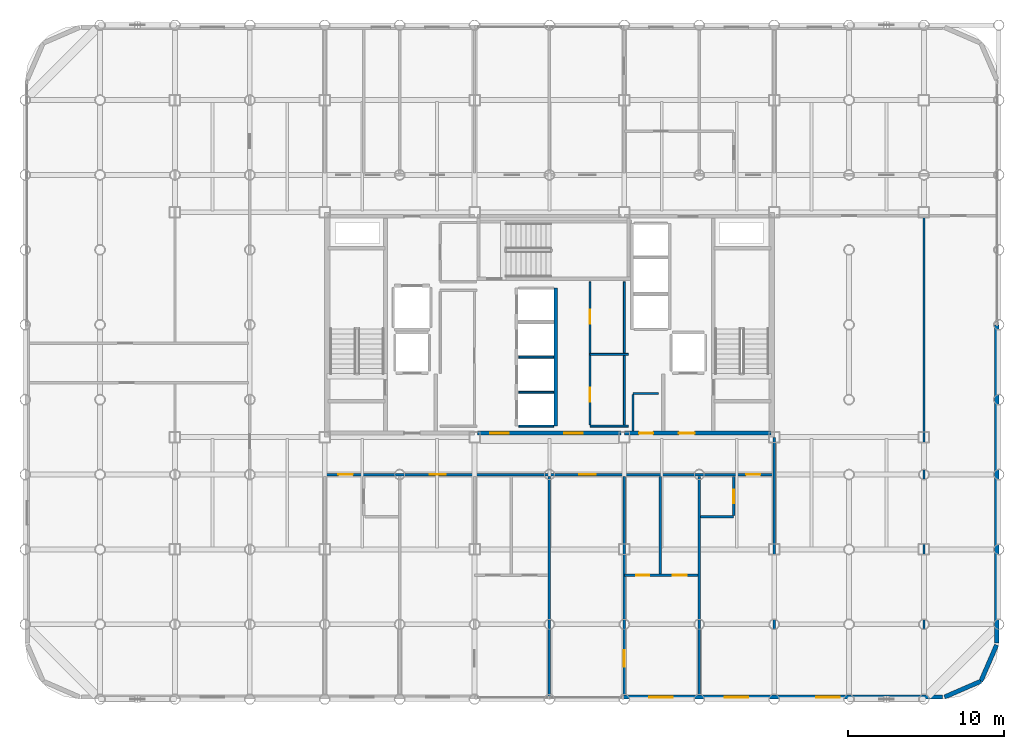
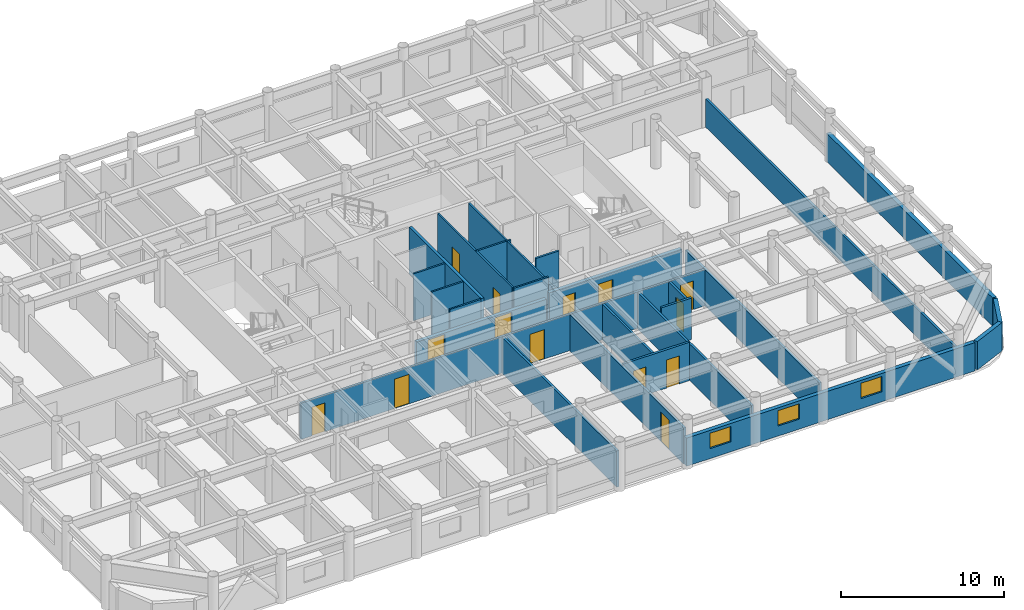
# One storey, part 17 of 20: 26 walls, 14 doors, 3 windows, 17 openings.
"""IFC4 building model written with IfcOpenShell, lengths in metres."""

from ifc_helpers import new_model, si_unit, direction, frame, frame_2d, origin, place, context, subcontext, project, spatial, rectangle, extrude, material, layer, layer_set, type_object, element, fill, save


model = new_model("IFC4")

# Units and contexts
model_context = context("Model", 3, precision=1e-05, world=origin(), true_north=direction((0.0, 1.0)))
body_context = subcontext(model_context, "Body", "Model", "MODEL_VIEW")
ifc_project = project(units=[si_unit("LENGTHUNIT", "METRE"), si_unit("AREAUNIT", "SQUARE_METRE"), si_unit("VOLUMEUNIT", "CUBIC_METRE"), si_unit("PLANEANGLEUNIT", "RADIAN"), si_unit("MASSUNIT", "GRAM", prefix="KILO")], contexts=[model_context])

# Site, building, storey
site_placement = place(None, origin())
site = spatial("IfcSite", under=ifc_project, at=site_placement, CompositionType="ELEMENT")
building_placement = place(site_placement, origin())
building = spatial("IfcBuilding", under=site, at=building_placement, Name="Kallvorn Hotel Tower", CompositionType="ELEMENT")
storey_placement = place(building_placement, frame((0.0, 0.0, 158.10009765625)))
storey = spatial("IfcBuildingStorey", under=building, at=storey_placement, Name="L39", CompositionType="ELEMENT", Elevation=158.10009765625)

# Wall, openings, doors
ifc_material_1 = material(Name="Fire-rated double-layer acoustic gypsum drywall EI 60")
ifc_layer_1 = layer(ifc_material_1, 0.159912109375)
ifc_layer_set_1 = layer_set([ifc_layer_1], Name="WL_DEMISE_160")
wall_type_1 = type_object("IfcWallType", Name="WL_DEMISE_160", PredefinedType="PARTITIONING", material=ifc_layer_set_1)
wall_1_placement = place(storey_placement, frame((4.800048828125, -16.050048828125, 0.0), z_axis=(0.0, 0.0, 1.0), x_axis=(1.0, 0.0, 0.0)))
wall_1 = element("IfcWall", 1, at=wall_1_placement, inside=storey, type_object=wall_type_1, Name="L39 Suite 3903 Executive Bedroom Partition", PredefinedType="PARTITIONING", context=body_context, shape_type="SweptSolid", body=[
    extrude(rectangle(XDim=4.719970703125, YDim=0.159912109375, at=frame_2d((2.35986328125, 0.0))), origin(), (0.0, 0.0, 1.0), 2.869873046875),
])
opening_1_placement = place(wall_1_placement, frame((0.75, 0.0, 0.0)))
opening_1 = element("IfcOpeningElement", 2, at=opening_1_placement, cuts=wall_1, Name="Opening BD-I", PredefinedType="OPENING", context=body_context, shape_type="SweptSolid", body=[
    extrude(rectangle(XDim=0.860107421875, YDim=2.10009765625, at=frame_2d((0.43017578125, 1.050048828125))), frame((0.0, 0.094970703125, 0.0), z_axis=(0.0, -1.0, 0.0), x_axis=(1.0, 0.0, 0.0)), (0.0, 0.0, 1.0), 0.18994140625),
])
opening_2_placement = place(wall_1_placement, frame((3.090087890625, 0.0, 0.0)))
opening_2 = element("IfcOpeningElement", 3, at=opening_2_placement, cuts=wall_1, Name="Opening SVD1", PredefinedType="OPENING", context=body_context, shape_type="SweptSolid", body=[
    extrude(rectangle(XDim=0.89990234375, YDim=2.10009765625, at=frame_2d((0.449951171875, 1.050048828125))), frame((0.0, 0.094970703125, 0.0), z_axis=(0.0, -1.0, 0.0), x_axis=(1.0, 0.0, 0.0)), (0.0, 0.0, 1.0), 0.18994140625),
])
ifc_material_2 = material(Name="Solid-core walnut veneer fire-rated timber door leaf", Category="wood")
door_type_1 = type_object("IfcDoorType", Name="DR_BATH_860x2100", OperationType="NOTDEFINED", PredefinedType="DOOR", material=ifc_material_2)
door_1_placement = place(opening_1_placement, origin())
door_1 = element("IfcDoor", 4, at=door_1_placement, inside=storey, type_object=door_type_1, Name="L39 Suite 3903 En-Suite Bathroom Door", OperationType="SINGLE_SWING_LEFT", OverallHeight=2.10009765625, OverallWidth=0.860107421875, PredefinedType="DOOR", context=body_context, shape_type="SweptSolid", body=[
    extrude(rectangle(XDim=0.860107421875, YDim=2.10009765625, at=frame_2d((0.43017578125, 1.050048828125))), frame((0.0, 0.02490234375, 0.0), z_axis=(0.0, -1.0, 0.0), x_axis=(1.0, 0.0, 0.0)), (0.0, 0.0, 1.0), 0.050048828125),
])
fill(opening_1, door_1)
ifc_material_3 = material(Name="Galvanised painted steel fire-rated door assembly", Category="steel")
door_type_2 = type_object("IfcDoorType", Name="DR_SERV_900x2100", OperationType="NOTDEFINED", PredefinedType="DOOR", material=ifc_material_3)
door_2_placement = place(opening_2_placement, origin())
door_2 = element("IfcDoor", 5, at=door_2_placement, inside=storey, type_object=door_type_2, Name="L39 Suite 3903 Walk-In Dressing Closet Door", OperationType="SINGLE_SWING_RIGHT", OverallHeight=2.10009765625, OverallWidth=0.89990234375, PredefinedType="DOOR", context=body_context, shape_type="SweptSolid", body=[
    extrude(rectangle(XDim=0.89990234375, YDim=2.10009765625, at=frame_2d((0.449951171875, 1.050048828125))), frame((0.0, 0.02490234375, 0.0), z_axis=(0.0, -1.0, 0.0), x_axis=(1.0, 0.0, 0.0)), (0.0, 0.0, 1.0), 0.050048828125),
])
fill(opening_2, door_2)

# Wall
wall_2_placement = place(storey_placement, frame((9.679931640625, -12.320068359375, 0.0), z_axis=(0.0, 0.0, 1.0), x_axis=(1.0, 0.0, 0.0)))
element("IfcWall", 6, at=wall_2_placement, inside=storey, type_object=wall_type_1, Name="L39 Suite 3904 Superior Twin Room Partition", PredefinedType="PARTITIONING", context=body_context, shape_type="SweptSolid", body=[
    extrude(rectangle(XDim=2.130126953125, YDim=0.159912109375, at=frame_2d((1.06494140625, 0.0))), origin(), (0.0, 0.0, 1.0), 3.119873046875),
])

# Wall, openings, doors
wall_3_placement = place(storey_placement, frame((-14.320068359375, -9.60009765625, 0.0), z_axis=(0.0, 0.0, 1.0), x_axis=(1.0, 0.0, 0.0)))
wall_3 = element("IfcWall", 7, at=wall_3_placement, inside=storey, type_object=wall_type_1, Name="L39 Suite 3901 Superior Twin Room Partition", PredefinedType="PARTITIONING", context=body_context, shape_type="SweptSolid", body=[
    extrude(rectangle(XDim=28.64013671875, YDim=0.159912109375, at=frame_2d((14.320068359375, 0.0))), origin(), (0.0, 0.0, 1.0), 2.719970703125),
])
opening_3_placement = place(wall_3_placement, frame((0.794921875, 0.0, 0.0)))
opening_3 = element("IfcOpeningElement", 8, at=opening_3_placement, cuts=wall_3, Name="Opening GD1", PredefinedType="OPENING", context=body_context, shape_type="SweptSolid", body=[
    extrude(rectangle(XDim=0.919921875, YDim=2.14990234375, at=frame_2d((0.4599609375, 1.074951171875))), frame((0.0, 0.094970703125, 0.0), z_axis=(0.0, -1.0, 0.0), x_axis=(1.0, 0.0, 0.0)), (0.0, 0.0, 1.0), 0.18994140625),
])
opening_4_placement = place(wall_3_placement, frame((6.635009765625, 0.0, 0.0)))
opening_4 = element("IfcOpeningElement", 9, at=opening_4_placement, cuts=wall_3, Name="Opening GD2", PredefinedType="OPENING", context=body_context, shape_type="SweptSolid", body=[
    extrude(rectangle(XDim=1.050048828125, YDim=2.199951171875, at=frame_2d((0.52490234375, 1.10009765625))), frame((0.0, 0.094970703125, 0.0), z_axis=(0.0, -1.0, 0.0), x_axis=(1.0, 0.0, 0.0)), (0.0, 0.0, 1.0), 0.18994140625),
])
opening_5_placement = place(wall_3_placement, frame((16.235107421875, 0.0, 0.0)))
opening_5 = element("IfcOpeningElement", 10, at=opening_5_placement, cuts=wall_3, Name="Opening GD2", PredefinedType="OPENING", context=body_context, shape_type="SweptSolid", body=[
    extrude(rectangle(XDim=1.050048828125, YDim=2.199951171875, at=frame_2d((0.52490234375, 1.10009765625))), frame((0.0, 0.094970703125, 0.0), z_axis=(0.0, -1.0, 0.0), x_axis=(1.0, 0.0, 0.0)), (0.0, 0.0, 1.0), 0.18994140625),
])
opening_6_placement = place(wall_3_placement, frame((26.925048828125, 0.0, 0.0)))
opening_6 = element("IfcOpeningElement", 11, at=opening_6_placement, cuts=wall_3, Name="Opening GD1", PredefinedType="OPENING", context=body_context, shape_type="SweptSolid", body=[
    extrude(rectangle(XDim=0.919921875, YDim=2.14990234375, at=frame_2d((0.4599609375, 1.074951171875))), frame((0.0, 0.094970703125, 0.0), z_axis=(0.0, -1.0, 0.0), x_axis=(1.0, 0.0, 0.0)), (0.0, 0.0, 1.0), 0.18994140625),
])
ifc_material_4 = material(Name="Solid-core walnut veneer fire-rated timber door leaf", Category="wood")
door_type_3 = type_object("IfcDoorType", Name="DR_GUEST_920x2150", OperationType="NOTDEFINED", PredefinedType="DOOR", material=ifc_material_4)
door_3_placement = place(opening_3_placement, origin())
door_3 = element("IfcDoor", 12, at=door_3_placement, inside=storey, type_object=door_type_3, Name="L39 Suite 3901 Superior Twin Room Door", OperationType="SINGLE_SWING_LEFT", OverallHeight=2.14990234375, OverallWidth=0.919921875, PredefinedType="DOOR", context=body_context, shape_type="SweptSolid", body=[
    extrude(rectangle(XDim=0.919921875, YDim=2.14990234375, at=frame_2d((0.4599609375, 1.074951171875))), frame((0.0, 0.02490234375, 0.0), z_axis=(0.0, -1.0, 0.0), x_axis=(1.0, 0.0, 0.0)), (0.0, 0.0, 1.0), 0.050048828125),
])
fill(opening_3, door_3)
door_4_placement = place(opening_6_placement, origin())
door_4 = element("IfcDoor", 13, at=door_4_placement, inside=storey, type_object=door_type_3, Name="L39 Suite 3904 Superior Twin Room Door", OperationType="SINGLE_SWING_RIGHT", OverallHeight=2.14990234375, OverallWidth=0.919921875, PredefinedType="DOOR", context=body_context, shape_type="SweptSolid", body=[
    extrude(rectangle(XDim=0.919921875, YDim=2.14990234375, at=frame_2d((0.4599609375, 1.074951171875))), frame((0.0, 0.02490234375, 0.0), z_axis=(0.0, -1.0, 0.0), x_axis=(1.0, 0.0, 0.0)), (0.0, 0.0, 1.0), 0.050048828125),
])
fill(opening_6, door_4)
ifc_material_5 = material(Name="Solid-core walnut veneer fire-rated timber door leaf", Category="wood")
door_type_4 = type_object("IfcDoorType", Name="DR_SUITE_1050x2200", OperationType="NOTDEFINED", PredefinedType="DOOR", material=ifc_material_5)
door_5_placement = place(opening_4_placement, origin())
door_5 = element("IfcDoor", 14, at=door_5_placement, inside=storey, type_object=door_type_4, Name="L39 Suite 3902 Executive Living Salon Door", OperationType="SINGLE_SWING_RIGHT", OverallHeight=2.199951171875, OverallWidth=1.050048828125, PredefinedType="DOOR", context=body_context, shape_type="SweptSolid", body=[
    extrude(rectangle(XDim=1.050048828125, YDim=2.199951171875, at=frame_2d((0.52490234375, 1.10009765625))), frame((0.0, 0.02490234375, 0.0), z_axis=(0.0, -1.0, 0.0), x_axis=(1.0, 0.0, 0.0)), (0.0, 0.0, 1.0), 0.050048828125),
])
fill(opening_4, door_5)
door_6_placement = place(opening_5_placement, origin())
door_6 = element("IfcDoor", 15, at=door_6_placement, inside=storey, type_object=door_type_4, Name="L39 Suite 3903 Executive Living Salon Door", OperationType="SINGLE_SWING_RIGHT", OverallHeight=2.199951171875, OverallWidth=1.050048828125, PredefinedType="DOOR", context=body_context, shape_type="SweptSolid", body=[
    extrude(rectangle(XDim=1.050048828125, YDim=2.199951171875, at=frame_2d((0.52490234375, 1.10009765625))), frame((0.0, 0.02490234375, 0.0), z_axis=(0.0, -1.0, 0.0), x_axis=(1.0, 0.0, 0.0)), (0.0, 0.0, 1.0), 0.050048828125),
])
fill(opening_5, door_6)

# Wall
wall_4_placement = place(storey_placement, frame((0.0, -23.794921875, 0.0), z_axis=(0.0, 0.0, 1.0), x_axis=(0.0, 1.0, 0.0)))
element("IfcWall", 16, at=wall_4_placement, inside=storey, type_object=wall_type_1, Name="L39 Suite 3902 Executive Bedroom Partition", PredefinedType="PARTITIONING", context=body_context, shape_type="SweptSolid", body=[
    extrude(rectangle(XDim=14.074951171875, YDim=0.159912109375, at=frame_2d((7.03759765625, 0.0))), origin(), (0.0, 0.0, 1.0), 2.719970703125),
])

# Wall, opening, door
wall_5_placement = place(storey_placement, frame((4.800048828125, -23.7099609375, 0.0), z_axis=(0.0, 0.0, 1.0), x_axis=(0.0, 1.0, 0.0)))
wall_5 = element("IfcWall", 17, at=wall_5_placement, inside=storey, type_object=wall_type_1, Name="L39 Suite 3903 Executive Bedroom Partition", PredefinedType="PARTITIONING", context=body_context, shape_type="SweptSolid", body=[
    extrude(rectangle(XDim=13.989990234375, YDim=0.159912109375, at=frame_2d((6.9951171875, 0.0))), origin(), (0.0, 0.0, 1.0), 2.719970703125),
])
opening_7_placement = place(wall_5_placement, frame((1.802978515625, 0.0, 0.0)))
opening_7 = element("IfcOpeningElement", 18, at=opening_7_placement, cuts=wall_5, Name="Opening GD2", PredefinedType="OPENING", context=body_context, shape_type="SweptSolid", body=[
    extrude(rectangle(XDim=1.050048828125, YDim=2.199951171875, at=frame_2d((0.52490234375, 1.10009765625))), frame((0.0, 0.094970703125, 0.0), z_axis=(0.0, -1.0, 0.0), x_axis=(1.0, 0.0, 0.0)), (0.0, 0.0, 1.0), 0.18994140625),
])
door_7_placement = place(opening_7_placement, origin())
door_7 = element("IfcDoor", 19, at=door_7_placement, inside=storey, type_object=door_type_4, Name="L39 Suite 3903 Executive Bedroom Door", OperationType="SINGLE_SWING_RIGHT", OverallHeight=2.199951171875, OverallWidth=1.050048828125, PredefinedType="DOOR", context=body_context, shape_type="SweptSolid", body=[
    extrude(rectangle(XDim=1.050048828125, YDim=2.199951171875, at=frame_2d((0.52490234375, 1.10009765625))), frame((0.0, 0.02490234375, 0.0), z_axis=(0.0, -1.0, 0.0), x_axis=(1.0, 0.0, 0.0)), (0.0, 0.0, 1.0), 0.050048828125),
])
fill(opening_7, door_7)

# Wall
wall_6_placement = place(storey_placement, frame((9.60009765625, -23.7099609375, 0.0), z_axis=(0.0, 0.0, 1.0), x_axis=(0.0, 1.0, 0.0)))
element("IfcWall", 20, at=wall_6_placement, inside=storey, type_object=wall_type_1, Name="L39 Suite 3903 Executive Bedroom Partition", PredefinedType="PARTITIONING", context=body_context, shape_type="SweptSolid", body=[
    extrude(rectangle(XDim=13.989990234375, YDim=0.159912109375, at=frame_2d((6.9951171875, 0.0))), origin(), (0.0, 0.0, 1.0), 2.719970703125),
])

# Wall, opening, door
wall_7_placement = place(storey_placement, frame((11.81005859375, -12.235107421875, 0.0), z_axis=(0.0, 0.0, 1.0), x_axis=(0.0, 1.0, 0.0)))
wall_7 = element("IfcWall", 21, at=wall_7_placement, inside=storey, type_object=wall_type_1, Name="L39 Suite 3904 Superior Twin Room Partition", PredefinedType="PARTITIONING", context=body_context, shape_type="SweptSolid", body=[
    extrude(rectangle(XDim=2.51513671875, YDim=0.159912109375, at=frame_2d((1.257568359375, 0.0))), origin(), (0.0, 0.0, 1.0), 2.719970703125),
])
opening_8_placement = place(wall_7_placement, frame((0.784912109375, 0.0, 0.0)))
opening_8 = element("IfcOpeningElement", 22, at=opening_8_placement, cuts=wall_7, Name="Opening BD-I", PredefinedType="OPENING", context=body_context, shape_type="SweptSolid", body=[
    extrude(rectangle(XDim=0.860107421875, YDim=2.10009765625, at=frame_2d((0.43017578125, 1.050048828125))), frame((0.0, 0.094970703125, 0.0), z_axis=(0.0, -1.0, 0.0), x_axis=(1.0, 0.0, 0.0)), (0.0, 0.0, 1.0), 0.18994140625),
])
door_8_placement = place(opening_8_placement, origin())
door_8 = element("IfcDoor", 23, at=door_8_placement, inside=storey, type_object=door_type_1, Name="L39 Suite 3904 En-Suite Bathroom Door", OperationType="SINGLE_SWING_RIGHT", OverallHeight=2.10009765625, OverallWidth=0.860107421875, PredefinedType="DOOR", context=body_context, shape_type="SweptSolid", body=[
    extrude(rectangle(XDim=0.860107421875, YDim=2.10009765625, at=frame_2d((0.43017578125, 1.050048828125))), frame((0.0, 0.02490234375, 0.0), z_axis=(0.0, -1.0, 0.0), x_axis=(1.0, 0.0, 0.0)), (0.0, 0.0, 1.0), 0.050048828125),
])
fill(opening_8, door_8)

# Walls
wall_8_placement = place(storey_placement, frame((14.39990234375, -23.7099609375, 0.0), z_axis=(0.0, 0.0, 1.0), x_axis=(0.0, 1.0, 0.0)))
element("IfcWall", 24, at=wall_8_placement, inside=storey, type_object=wall_type_1, Name="L39 Suite 3904 Superior Twin Room Partition", PredefinedType="PARTITIONING", context=body_context, shape_type="SweptSolid", body=[
    extrude(rectangle(XDim=16.469970703125, YDim=0.159912109375, at=frame_2d((8.23486328125, 0.0))), origin(), (0.0, 0.0, 1.0), 2.719970703125),
])
ifc_material_6 = material(Name="Precast basalt-clad insulated concrete wall C40/50", Category="masonry")
ifc_layer_2 = layer(ifc_material_6, 0.280029296875)
ifc_layer_set_2 = layer_set([ifc_layer_2], Name="WL_EXT_LOGGIA_280")
wall_type_2 = type_object("IfcWallType", Name="WL_EXT_LOGGIA_280", PredefinedType="SOLIDWALL", material=ifc_layer_set_2)
wall_9_placement = place(storey_placement, frame((25.32080078125, -23.85791015625, 0.0), z_axis=(0.0, 0.0, 1.0), x_axis=(0.917060872934, 0.398747232384, 0.0)))
element("IfcWall", 25, at=wall_9_placement, inside=storey, type_object=wall_type_2, Name="L39 Rounded Corner Exterior Wall SE1", PredefinedType="SOLIDWALL", context=body_context, shape_type="SweptSolid", body=[
    extrude(rectangle(XDim=2.5361328125, YDim=0.280029296875, at=frame_2d((1.26806640625, 0.0))), origin(), (0.0, 0.0, 1.0), 2.119873046875),
])
wall_10_placement = place(storey_placement, frame((27.646484375, -22.8466796875, 0.0), z_axis=(0.0, 0.0, 1.0), x_axis=(0.398792985289, 0.917040977756, 0.0)))
element("IfcWall", 26, at=wall_10_placement, inside=storey, type_object=wall_type_2, Name="L39 Rounded Corner Exterior Wall SE2", PredefinedType="SOLIDWALL", context=body_context, shape_type="SweptSolid", body=[
    extrude(rectangle(XDim=2.536376953125, YDim=0.280029296875, at=frame_2d((1.26806640625, 0.0))), origin(), (0.0, 0.0, 1.0), 2.119873046875),
])

# Wall, openings, windows
wall_11_placement = place(storey_placement, frame((4.75, -23.860107421875, 0.0), z_axis=(0.0, 0.0, 1.0), x_axis=(1.0, 0.0, 0.0)))
wall_11 = element("IfcWall", 27, at=wall_11_placement, inside=storey, type_object=wall_type_2, Name="L39 Exterior Envelope Wall EW-L39-SE", PredefinedType="SOLIDWALL", context=body_context, shape_type="SweptSolid", body=[
    extrude(rectangle(XDim=20.449951171875, YDim=0.280029296875, at=frame_2d((10.22509765625, 0.0))), origin(), (0.0, 0.0, 1.0), 2.119873046875),
])
opening_9_placement = place(wall_11_placement, frame((12.360107421875, 0.0, 0.75)))
opening_9 = element("IfcOpeningElement", 28, at=opening_9_placement, cuts=wall_11, Name="Opening W05A", PredefinedType="OPENING", context=body_context, shape_type="SweptSolid", body=[
    extrude(rectangle(XDim=1.5, YDim=1.14990234375, at=frame_2d((0.75, 0.574951171875))), frame((0.0, 0.155029296875, 0.0), z_axis=(0.0, -1.0, 0.0), x_axis=(1.0, 0.0, 0.0)), (0.0, 0.0, 1.0), 0.31005859375),
])
opening_10_placement = place(wall_11_placement, frame((1.659912109375, 0.0, 0.75)))
opening_10 = element("IfcOpeningElement", 29, at=opening_10_placement, cuts=wall_11, Name="Opening W05A", PredefinedType="OPENING", context=body_context, shape_type="SweptSolid", body=[
    extrude(rectangle(XDim=1.5, YDim=1.14990234375, at=frame_2d((0.75, 0.574951171875))), frame((0.0, 0.155029296875, 0.0), z_axis=(0.0, -1.0, 0.0), x_axis=(1.0, 0.0, 0.0)), (0.0, 0.0, 1.0), 0.31005859375),
])
opening_11_placement = place(wall_11_placement, frame((6.5, 0.0, 0.75)))
opening_11 = element("IfcOpeningElement", 30, at=opening_11_placement, cuts=wall_11, Name="Opening W05A", PredefinedType="OPENING", context=body_context, shape_type="SweptSolid", body=[
    extrude(rectangle(XDim=1.5, YDim=1.14990234375, at=frame_2d((0.75, 0.574951171875))), frame((0.0, 0.155029296875, 0.0), z_axis=(0.0, -1.0, 0.0), x_axis=(1.0, 0.0, 0.0)), (0.0, 0.0, 1.0), 0.31005859375),
])
ifc_material_7 = material(Name="Double-glazed low-e solar-control dark glass", Category="glass")
window_type = type_object("IfcWindowType", Name="WN_HTL_1500x1150", PartitioningType="SINGLE_PANEL", PredefinedType="WINDOW", material=ifc_material_7)
window_1_placement = place(opening_9_placement, origin())
window_1 = element("IfcWindow", 31, at=window_1_placement, inside=storey, type_object=window_type, Name="L39 Guestroom Exterior Window 05", OverallHeight=1.14990234375, OverallWidth=1.5, PartitioningType="SINGLE_PANEL", PredefinedType="WINDOW", context=body_context, shape_type="SweptSolid", body=[
    extrude(rectangle(XDim=1.5, YDim=1.14990234375, at=frame_2d((0.75, 0.574951171875))), frame((0.0, 0.030029296875, 0.0), z_axis=(0.0, -1.0, 0.0), x_axis=(1.0, 0.0, 0.0)), (0.0, 0.0, 1.0), 0.06005859375),
])
fill(opening_9, window_1)
window_2_placement = place(opening_10_placement, origin())
window_2 = element("IfcWindow", 32, at=window_2_placement, inside=storey, type_object=window_type, Name="L39 Guestroom Exterior Window 08", OverallHeight=1.14990234375, OverallWidth=1.5, PartitioningType="SINGLE_PANEL", PredefinedType="WINDOW", context=body_context, shape_type="SweptSolid", body=[
    extrude(rectangle(XDim=1.5, YDim=1.14990234375, at=frame_2d((0.75, 0.574951171875))), frame((0.0, 0.030029296875, 0.0), z_axis=(0.0, -1.0, 0.0), x_axis=(1.0, 0.0, 0.0)), (0.0, 0.0, 1.0), 0.06005859375),
])
fill(opening_10, window_2)
window_3_placement = place(opening_11_placement, origin())
window_3 = element("IfcWindow", 33, at=window_3_placement, inside=storey, type_object=window_type, Name="L39 Guestroom Exterior Window 09", OverallHeight=1.14990234375, OverallWidth=1.5, PartitioningType="SINGLE_PANEL", PredefinedType="WINDOW", context=body_context, shape_type="SweptSolid", body=[
    extrude(rectangle(XDim=1.5, YDim=1.14990234375, at=frame_2d((0.75, 0.574951171875))), frame((0.0, 0.030029296875, 0.0), z_axis=(0.0, -1.0, 0.0), x_axis=(1.0, 0.0, 0.0)), (0.0, 0.0, 1.0), 0.06005859375),
])
fill(opening_11, window_3)

# Walls
wall_12_placement = place(storey_placement, frame((28.659912109375, -20.39990234375, 0.0), z_axis=(0.0, 0.0, 1.0), x_axis=(0.0, 1.0, 0.0)))
element("IfcWall", 34, at=wall_12_placement, inside=storey, type_object=wall_type_2, Name="L39 Exterior Envelope Wall EW-L39-ES", PredefinedType="SOLIDWALL", context=body_context, shape_type="SweptSolid", body=[
    extrude(rectangle(XDim=20.3798828125, YDim=0.280029296875, at=frame_2d((10.18994140625, 0.0))), origin(), (0.0, 0.0, 1.0), 2.119873046875),
])
ifc_material_8 = material(Name="Concrete C40/50", Category="concrete")
ifc_layer_3 = layer(ifc_material_8, 0.199951171875)
ifc_layer_set_3 = layer_set([ifc_layer_3], Name="WL_HOIST_200")
wall_type_3 = type_object("IfcWallType", Name="WL_HOIST_200", PredefinedType="SOLIDWALL", material=ifc_layer_set_3)
wall_13_placement = place(storey_placement, frame((0.39990234375, -6.5, 0.0), z_axis=(0.0, 0.0, 1.0), x_axis=(0.0, 1.0, 0.0)))
element("IfcWall", 35, at=wall_13_placement, inside=storey, type_object=wall_type_3, Name="L39 Lift Bank B2 Rear Shaft Wall", PredefinedType="SOLIDWALL", context=body_context, shape_type="SweptSolid", body=[
    extrude(rectangle(XDim=8.85009765625, YDim=0.199951171875, at=frame_2d((4.425048828125, 0.0))), origin(), (0.0, 0.0, 1.0), 3.52001953125),
])
ifc_material_9 = material(Name="Fire-rated double-layer acoustic gypsum drywall EI 60")
ifc_layer_4 = layer(ifc_material_9, 0.1201171875)
ifc_layer_set_4 = layer_set([ifc_layer_4], Name="WL_INT_120")
wall_type_4 = type_object("IfcWallType", Name="WL_INT_120", PredefinedType="PARTITIONING", material=ifc_layer_set_4)
for number, where, z_axis, x_axis, name in (
    (36, (-1.9599609375, -6.5, 0.0), (0.0, 0.0, 1.0), (1.0, 0.0, 0.0), "L39 Lift Bank B2 South Closure Wall"),
    (37, (-1.9599609375, -4.324951171875, 0.0), (0.0, 0.0, 1.0), (1.0, 0.0, 0.0), "L39 PL-05 Hoistway Divider"),
    (38, (-1.9599609375, -2.074951171875, 0.0), (0.0, 0.0, 1.0), (1.0, 0.0, 0.0), "L39 PL-06 Hoistway Divider"),
):
    element("IfcWall", number, at=place(storey_placement, frame(where, z_axis=z_axis, x_axis=x_axis)), inside=storey, type_object=wall_type_4, Name=name, PredefinedType="PARTITIONING", context=body_context, shape_type="SweptSolid", body=[
        extrude(rectangle(XDim=2.219970703125, YDim=0.1201171875, at=frame_2d((1.10986328125, 0.0))), origin(), (0.0, 0.0, 1.0), 3.52001953125),
    ])
for number, where, z_axis, x_axis, name in (
    (39, (2.60009765625, -6.5, 0.0), (0.0, 0.0, 1.0), (1.0, 0.0, 0.0), "L39 East Core Amenities and Minibar Store Partition"),
    (40, (2.60009765625, -1.89990234375, 0.0), (0.0, 0.0, 1.0), (1.0, 0.0, 0.0), "L39 East Core Amenities and Minibar Store Partition"),
):
    element("IfcWall", number, at=place(storey_placement, frame(where, z_axis=z_axis, x_axis=x_axis)), inside=storey, type_object=wall_type_4, Name=name, PredefinedType="PARTITIONING", context=body_context, shape_type="SweptSolid", body=[
        extrude(rectangle(XDim=2.449951171875, YDim=0.1201171875, at=frame_2d((1.22509765625, 0.0))), origin(), (0.0, 0.0, 1.0), 3.52001953125),
    ])

# Wall, openings, doors
wall_14_placement = place(storey_placement, frame((2.60009765625, -6.4150390625, 0.0), z_axis=(0.0, 0.0, 1.0), x_axis=(0.0, 1.0, 0.0)))
wall_14 = element("IfcWall", 41, at=wall_14_placement, inside=storey, type_object=wall_type_4, Name="L39 East Core Amenities and Minibar Store Partition", PredefinedType="PARTITIONING", context=body_context, shape_type="SweptSolid", body=[
    extrude(rectangle(XDim=9.1650390625, YDim=0.1201171875, at=frame_2d((4.58251953125, 0.0))), origin(), (0.0, 0.0, 1.0), 3.52001953125),
])
opening_12_placement = place(wall_14_placement, frame((1.465087890625, 0.0, 0.0)))
opening_12 = element("IfcOpeningElement", 42, at=opening_12_placement, cuts=wall_14, Name="Opening SVD1", PredefinedType="OPENING", context=body_context, shape_type="SweptSolid", body=[
    extrude(rectangle(XDim=0.89990234375, YDim=2.10009765625, at=frame_2d((0.449951171875, 1.050048828125))), frame((0.0, 0.074951171875, 0.0), z_axis=(0.0, -1.0, 0.0), x_axis=(1.0, 0.0, 0.0)), (0.0, 0.0, 1.0), 0.150146484375),
])
opening_13_placement = place(wall_14_placement, frame((6.465087890625, 0.0, 0.0)))
opening_13 = element("IfcOpeningElement", 43, at=opening_13_placement, cuts=wall_14, Name="Opening SVD1", PredefinedType="OPENING", context=body_context, shape_type="SweptSolid", body=[
    extrude(rectangle(XDim=0.89990234375, YDim=2.10009765625, at=frame_2d((0.449951171875, 1.050048828125))), frame((0.0, 0.074951171875, 0.0), z_axis=(0.0, -1.0, 0.0), x_axis=(1.0, 0.0, 0.0)), (0.0, 0.0, 1.0), 0.150146484375),
])
door_9_placement = place(opening_12_placement, origin())
door_9 = element("IfcDoor", 44, at=door_9_placement, inside=storey, type_object=door_type_2, Name="L39 East Core Amenities and Minibar Store Door", OperationType="SINGLE_SWING_RIGHT", OverallHeight=2.10009765625, OverallWidth=0.89990234375, PredefinedType="DOOR", context=body_context, shape_type="SweptSolid", body=[
    extrude(rectangle(XDim=0.89990234375, YDim=2.10009765625, at=frame_2d((0.449951171875, 1.050048828125))), frame((0.0, 0.02490234375, 0.0), z_axis=(0.0, -1.0, 0.0), x_axis=(1.0, 0.0, 0.0)), (0.0, 0.0, 1.0), 0.050048828125),
])
fill(opening_12, door_9)
door_10_placement = place(opening_13_placement, origin())
door_10 = element("IfcDoor", 45, at=door_10_placement, inside=storey, type_object=door_type_2, Name="L39 East Core Cleaners and Janitor Room Door", OperationType="SINGLE_SWING_LEFT", OverallHeight=2.10009765625, OverallWidth=0.89990234375, PredefinedType="DOOR", context=body_context, shape_type="SweptSolid", body=[
    extrude(rectangle(XDim=0.89990234375, YDim=2.10009765625, at=frame_2d((0.449951171875, 1.050048828125))), frame((0.0, 0.02490234375, 0.0), z_axis=(0.0, -1.0, 0.0), x_axis=(1.0, 0.0, 0.0)), (0.0, 0.0, 1.0), 0.050048828125),
])
fill(opening_13, door_10)

# Walls
wall_15_placement = place(storey_placement, frame((4.800048828125, -6.4150390625, 0.0), z_axis=(0.0, 0.0, 1.0), x_axis=(0.0, 1.0, 0.0)))
element("IfcWall", 46, at=wall_15_placement, inside=storey, type_object=wall_type_4, Name="L39 East Core Amenities and Minibar Store Partition", PredefinedType="PARTITIONING", context=body_context, shape_type="SweptSolid", body=[
    extrude(rectangle(XDim=9.1650390625, YDim=0.1201171875, at=frame_2d((4.58251953125, 0.0))), origin(), (0.0, 0.0, 1.0), 3.52001953125),
])
ifc_material_10 = material(Name="Fire-rated double-layer acoustic gypsum drywall EI 60")
ifc_layer_5 = layer(ifc_material_10, 0.14990234375)
ifc_layer_set_5 = layer_set([ifc_layer_5], Name="WL_PART_150")
wall_type_5 = type_object("IfcWallType", Name="WL_PART_150", PredefinedType="PARTITIONING", material=ifc_layer_set_5)
wall_16_placement = place(storey_placement, frame((7.106689453125, -15.965087890625, 0.0), z_axis=(0.0, 0.0, 1.0), x_axis=(0.0, 1.0, 0.0)))
element("IfcWall", 47, at=wall_16_placement, inside=storey, type_object=wall_type_5, Name="L39 Suite 3903 Walk-In Dressing Closet Partition", PredefinedType="PARTITIONING", context=body_context, shape_type="SweptSolid", body=[
    extrude(rectangle(XDim=6.2451171875, YDim=0.14990234375, at=frame_2d((3.12255859375, 0.0))), origin(), (0.0, 0.0, 1.0), 2.719970703125),
])
wall_17_placement = place(storey_placement, frame((24.0, -23.7099609375, 0.0), z_axis=(0.0, 0.0, 1.0), x_axis=(0.0, 1.0, 0.0)))
element("IfcWall", 48, at=wall_17_placement, inside=storey, type_object=wall_type_5, Name="L39 L39 Far-East Design Boutique Partition", PredefinedType="PARTITIONING", context=body_context, shape_type="SweptSolid", body=[
    extrude(rectangle(XDim=30.60498046875, YDim=0.14990234375, at=frame_2d((15.302490234375, 0.0))), origin(), (0.0, 0.0, 1.0), 2.119873046875),
])
ifc_material_11 = material(Name="Moisture-resistant acoustic plumbing chase wall EI 60")
ifc_layer_6 = layer(ifc_material_11, 0.139892578125)
ifc_layer_set_6 = layer_set([ifc_layer_6], Name="WL_PLUMB_140")
wall_type_6 = type_object("IfcWallType", Name="WL_PLUMB_140", PredefinedType="PLUMBINGWALL", material=ifc_layer_set_6)
wall_18_placement = place(storey_placement, frame((5.35009765625, -4.39990234375, 0.0), z_axis=(0.0, 0.0, 1.0), x_axis=(1.0, 0.0, 0.0)))
element("IfcWall", 49, at=wall_18_placement, inside=storey, type_object=wall_type_6, Name="L39 Core Staff Restroom WC Partition", PredefinedType="PLUMBINGWALL", context=body_context, shape_type="SweptSolid", body=[
    extrude(rectangle(XDim=1.64990234375, YDim=0.139892578125, at=frame_2d((0.824951171875, 0.0))), origin(), (0.0, 0.0, 1.0), 3.52001953125),
])
wall_19_placement = place(storey_placement, frame((5.35009765625, -6.800048828125, 0.0), z_axis=(0.0, 0.0, 1.0), x_axis=(0.0, 1.0, 0.0)))
element("IfcWall", 50, at=wall_19_placement, inside=storey, type_object=wall_type_6, Name="L39 Core Staff Restroom WC Partition", PredefinedType="PLUMBINGWALL", context=body_context, shape_type="SweptSolid", body=[
    extrude(rectangle(XDim=2.31494140625, YDim=0.139892578125, at=frame_2d((1.157470703125, 0.0))), origin(), (0.0, 0.0, 1.0), 2.719970703125),
])

# Wall, openings, doors
ifc_material_12 = material(Name="Concrete C40/50", Category="concrete")
ifc_layer_7 = layer(ifc_material_12, 0.25)
ifc_layer_set_7 = layer_set([ifc_layer_7], Name="WL_SHAFT_250")
wall_type_7 = type_object("IfcWallType", Name="WL_SHAFT_250", PredefinedType="SOLIDWALL", material=ifc_layer_set_7)
wall_20_placement = place(storey_placement, frame((-4.60009765625, -6.949951171875, 0.0), z_axis=(0.0, 0.0, 1.0), x_axis=(1.0, 0.0, 0.0)))
wall_20 = element("IfcWall", 51, at=wall_20_placement, inside=storey, type_object=wall_type_7, Name="L39 Core South-Central Wall", PredefinedType="SOLIDWALL", context=body_context, shape_type="SweptSolid", body=[
    extrude(rectangle(XDim=9.2001953125, YDim=0.25, at=frame_2d((4.60009765625, 0.0))), origin(), (0.0, 0.0, 1.0), 2.31982421875),
])
opening_14_placement = place(wall_20_placement, frame((0.800048828125, 0.0, 0.0)))
opening_14 = element("IfcOpeningElement", 52, at=opening_14_placement, cuts=wall_20, Name="Opening FD2", PredefinedType="OPENING", context=body_context, shape_type="SweptSolid", body=[
    extrude(rectangle(XDim=1.199951171875, YDim=2.199951171875, at=frame_2d((0.60009765625, 1.10009765625))), frame((0.0, 0.139892578125, 0.0), z_axis=(0.0, -1.0, 0.0), x_axis=(1.0, 0.0, 0.0)), (0.0, 0.0, 1.0), 0.280029296875),
])
opening_15_placement = place(wall_20_placement, frame((5.550048828125, 0.0, 0.0)))
opening_15 = element("IfcOpeningElement", 53, at=opening_15_placement, cuts=wall_20, Name="Opening FD2", PredefinedType="OPENING", context=body_context, shape_type="SweptSolid", body=[
    extrude(rectangle(XDim=1.199951171875, YDim=2.199951171875, at=frame_2d((0.60009765625, 1.10009765625))), frame((0.0, 0.139892578125, 0.0), z_axis=(0.0, -1.0, 0.0), x_axis=(1.0, 0.0, 0.0)), (0.0, 0.0, 1.0), 0.280029296875),
])
ifc_material_13 = material(Name="Galvanised painted steel fire-rated door assembly", Category="steel")
door_type_5 = type_object("IfcDoorType", Name="DR_LOBBY_1200x2200", OperationType="DOUBLE_DOOR_SINGLE_SWING", PredefinedType="DOOR", material=ifc_material_13)
door_11_placement = place(opening_14_placement, origin())
door_11 = element("IfcDoor", 54, at=door_11_placement, inside=storey, type_object=door_type_5, Name="L39 West Passenger Lift Lobby Door", OperationType="DOUBLE_DOOR_SINGLE_SWING", OverallHeight=2.199951171875, OverallWidth=1.199951171875, PredefinedType="DOOR", context=body_context, shape_type="SweptSolid", body=[
    extrude(rectangle(XDim=1.199951171875, YDim=2.199951171875, at=frame_2d((0.60009765625, 1.10009765625))), frame((0.0, 0.02490234375, 0.0), z_axis=(0.0, -1.0, 0.0), x_axis=(1.0, 0.0, 0.0)), (0.0, 0.0, 1.0), 0.050048828125),
])
fill(opening_14, door_11)
door_12_placement = place(opening_15_placement, origin())
door_12 = element("IfcDoor", 55, at=door_12_placement, inside=storey, type_object=door_type_5, Name="L39 East Passenger Lift Lobby Door", OperationType="DOUBLE_DOOR_SINGLE_SWING", OverallHeight=2.199951171875, OverallWidth=1.199951171875, PredefinedType="DOOR", context=body_context, shape_type="SweptSolid", body=[
    extrude(rectangle(XDim=1.199951171875, YDim=2.199951171875, at=frame_2d((0.60009765625, 1.10009765625))), frame((0.0, 0.02490234375, 0.0), z_axis=(0.0, -1.0, 0.0), x_axis=(1.0, 0.0, 0.0)), (0.0, 0.0, 1.0), 0.050048828125),
])
fill(opening_15, door_12)

wall_21_placement = place(storey_placement, frame((4.800048828125, -6.949951171875, 0.0), z_axis=(0.0, 0.0, 1.0), x_axis=(1.0, 0.0, 0.0)))
wall_21 = element("IfcWall", 56, at=wall_21_placement, inside=storey, type_object=wall_type_7, Name="L39 Core South-East Wall", PredefinedType="SOLIDWALL", context=body_context, shape_type="SweptSolid", body=[
    extrude(rectangle(XDim=9.39990234375, YDim=0.25, at=frame_2d((4.699951171875, 0.0))), origin(), (0.0, 0.0, 1.0), 2.719970703125),
])
opening_16_placement = place(wall_21_placement, frame((3.5, 0.0, 0.0)))
opening_16 = element("IfcOpeningElement", 57, at=opening_16_placement, cuts=wall_21, Name="Opening FD1", PredefinedType="OPENING", context=body_context, shape_type="SweptSolid", body=[
    extrude(rectangle(XDim=1.0, YDim=2.14990234375, at=frame_2d((0.5, 1.074951171875))), frame((0.0, 0.139892578125, 0.0), z_axis=(0.0, -1.0, 0.0), x_axis=(1.0, 0.0, 0.0)), (0.0, 0.0, 1.0), 0.280029296875),
])
opening_17_placement = place(wall_21_placement, frame((0.949951171875, 0.0, 0.0)))
opening_17 = element("IfcOpeningElement", 58, at=opening_17_placement, cuts=wall_21, Name="Opening SVD1", PredefinedType="OPENING", context=body_context, shape_type="SweptSolid", body=[
    extrude(rectangle(XDim=0.89990234375, YDim=2.10009765625, at=frame_2d((0.449951171875, 1.050048828125))), frame((0.0, 0.139892578125, 0.0), z_axis=(0.0, -1.0, 0.0), x_axis=(1.0, 0.0, 0.0)), (0.0, 0.0, 1.0), 0.280029296875),
])
ifc_material_14 = material(Name="Galvanised painted steel fire-rated door assembly", Category="steel")
door_type_6 = type_object("IfcDoorType", Name="DR_FFL_1000x2150", OperationType="NOTDEFINED", PredefinedType="DOOR", material=ifc_material_14)
door_13_placement = place(opening_16_placement, origin())
door_13 = element("IfcDoor", 59, at=door_13_placement, inside=storey, type_object=door_type_6, Name="L39 Firefighting Lobby East Door", OperationType="SINGLE_SWING_RIGHT", OverallHeight=2.14990234375, OverallWidth=1.0, PredefinedType="DOOR", context=body_context, shape_type="SweptSolid", body=[
    extrude(rectangle(XDim=1.0, YDim=2.14990234375, at=frame_2d((0.5, 1.074951171875))), frame((0.0, 0.02490234375, 0.0), z_axis=(0.0, -1.0, 0.0), x_axis=(1.0, 0.0, 0.0)), (0.0, 0.0, 1.0), 0.050048828125),
])
fill(opening_16, door_13)
door_14_placement = place(opening_17_placement, origin())
door_14 = element("IfcDoor", 60, at=door_14_placement, inside=storey, type_object=door_type_2, Name="L39 Core Staff Restroom WC Door", OperationType="SINGLE_SWING_LEFT", OverallHeight=2.10009765625, OverallWidth=0.89990234375, PredefinedType="DOOR", context=body_context, shape_type="SweptSolid", body=[
    extrude(rectangle(XDim=0.89990234375, YDim=2.10009765625, at=frame_2d((0.449951171875, 1.050048828125))), frame((0.0, 0.02490234375, 0.0), z_axis=(0.0, -1.0, 0.0), x_axis=(1.0, 0.0, 0.0)), (0.0, 0.0, 1.0), 0.050048828125),
])
fill(opening_17, door_14)

save(model, "model.ifc")
